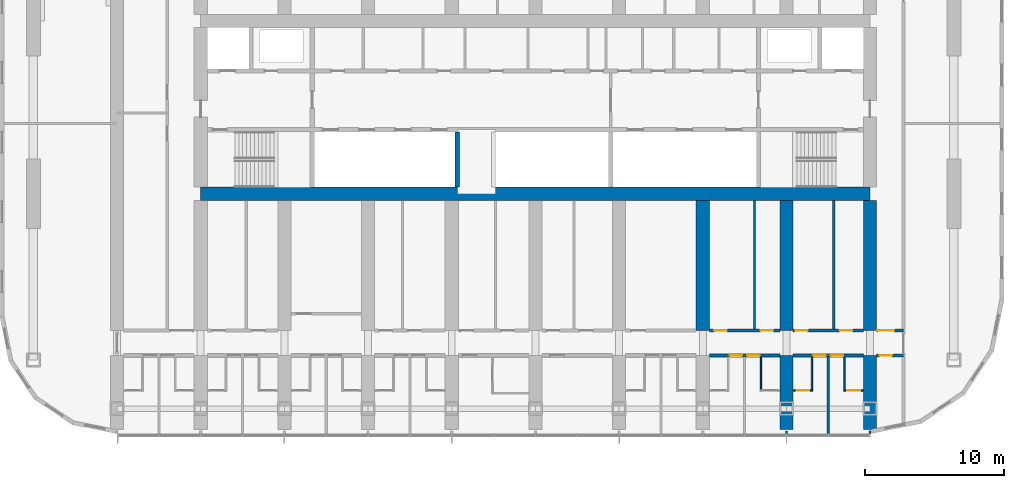
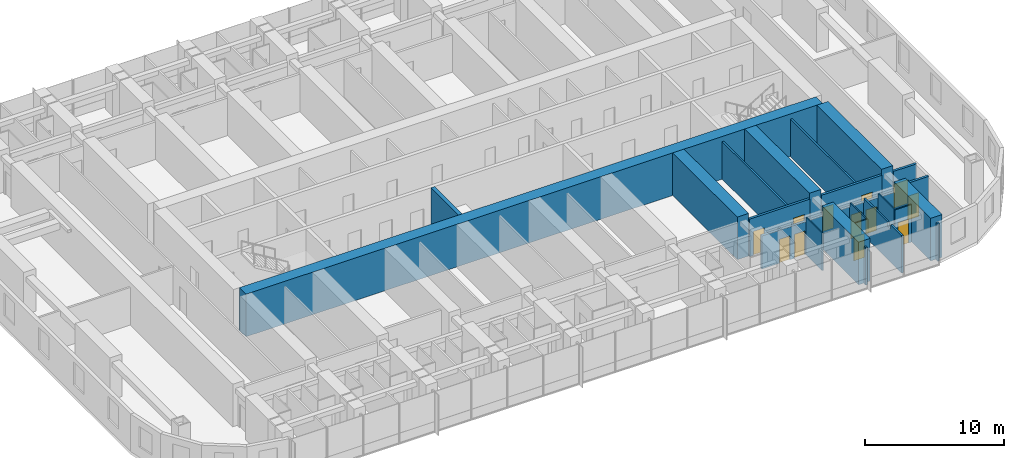
# One storey, part 11 of 22: 23 walls, 12 doors, 12 openings.
"""IFC4 building model written with IfcOpenShell, lengths in metres."""

from ifc_helpers import new_model, si_unit, direction, frame, frame_2d, origin, place, context, subcontext, project, spatial, polyline, rectangle, outline, extrude, material, layer, layer_set, type_object, element, fill, save


model = new_model("IFC4")

# Units and contexts
model_context = context("Model", 3, precision=1e-05, world=origin(), true_north=direction((0.0, 1.0)))
body_context = subcontext(model_context, "Body", "Model", "MODEL_VIEW")
ifc_project = project(units=[si_unit("LENGTHUNIT", "METRE"), si_unit("AREAUNIT", "SQUARE_METRE"), si_unit("VOLUMEUNIT", "CUBIC_METRE"), si_unit("PLANEANGLEUNIT", "RADIAN"), si_unit("MASSUNIT", "GRAM", prefix="KILO")], contexts=[model_context])

# Site, building, storey
site_placement = place(None, origin())
site = spatial("IfcSite", under=ifc_project, at=site_placement, CompositionType="ELEMENT")
building_placement = place(site_placement, origin())
building = spatial("IfcBuilding", under=site, at=building_placement, Name="Orbita Commons", CompositionType="ELEMENT")
storey_placement = place(building_placement, frame((0.0, 0.0, 80.64990234375)))
storey = spatial("IfcBuildingStorey", under=building, at=storey_placement, Name="L19", CompositionType="ELEMENT", Elevation=80.64990234375)

# Walls
ifc_material_1 = material(Name="Concrete C50/60", Category="concrete")
ifc_layer_1 = layer(ifc_material_1, 0.300048828125)
ifc_layer_set_1 = layer_set([ifc_layer_1], Name="Concrete C50/60")
wall_type_1 = type_object("IfcWallType", Name="Core inner wall 300 C50/60", PredefinedType="SHEAR", material=ifc_layer_set_1)
wall_1_placement = place(storey_placement, frame((36.39990234375, 26.27490234375, 0.0), z_axis=(0.0, 0.0, 1.0), x_axis=(0.0, 1.0, 0.0)))
element("IfcWall", 1, at=wall_1_placement, inside=storey, type_object=wall_type_1, Name="Hoistway division wall L19", PredefinedType="SHEAR", context=body_context, shape_type="SweptSolid", body=[
    extrude(rectangle(XDim=3.97509765625, YDim=0.300048828125, at=frame_2d((1.987548828125, 0.0))), origin(), (0.0, 0.0, 1.0), 3.75),
])
ifc_material_2 = material(Name="Concrete C50/60", Category="concrete")
ifc_layer_2 = layer(ifc_material_2, 0.949951171875)
ifc_layer_set_2 = layer_set([ifc_layer_2], Name="Concrete C50/60")
wall_type_2 = type_object("IfcWallType", Name="Core wall 950 C50/60", PredefinedType="SHEAR", material=ifc_layer_set_2)
wall_2_placement = place(storey_placement, frame((18.0, 25.800048828125, 0.0), z_axis=(0.0, 0.0, 1.0), x_axis=(1.0, 0.0, 0.0)))
element("IfcWall", 2, at=wall_2_placement, inside=storey, type_object=wall_type_2, Name="Core spine wall south L19", PredefinedType="SHEAR", context=body_context, shape_type="SweptSolid", body=[
    extrude(rectangle(XDim=48.0, YDim=0.949951171875, at=frame_2d((24.0, 0.0))), origin(), (0.0, 0.0, 1.0), 3.75),
])

# Wall, openings, doors
ifc_material_3 = material(Name="Concrete blockwork", Category="masonry")
ifc_layer_3 = layer(ifc_material_3, 0.199951171875)
ifc_layer_set_3 = layer_set([ifc_layer_3], Name="Concrete blockwork")
wall_type_3 = type_object("IfcWallType", Name="Corridor wall 200 blockwork", PredefinedType="SOLIDWALL", material=ifc_layer_set_3)
wall_3_placement = place(storey_placement, frame((54.47509765625, 14.199951171875, 0.0), z_axis=(0.0, 0.0, 1.0), x_axis=(1.0, 0.0, 0.0)))
wall_3 = element("IfcWall", 3, at=wall_3_placement, inside=storey, type_object=wall_type_3, Name="Corridor wall 200 blockwork L19", PredefinedType="SOLIDWALL", context=body_context, shape_type="SweptSolid", body=[
    extrude(outline(polyline([(0.0, 0.0), (5.0498046875, 0.0), (5.050048828125, 2.900146484375), (0.0, 2.900146484375), (0.0, 0.0)])), frame((0.0, 0.10009765625, 0.0), z_axis=(0.0, -1.0, 0.0), x_axis=(1.0, 0.0, 0.0)), (0.0, 0.0, 1.0), 0.199951171875),
])
opening_1_placement = place(wall_3_placement, frame((1.449951171875, 0.0, 0.0)))
opening_1 = element("IfcOpeningElement", 4, at=opening_1_placement, cuts=wall_3, Name="Opening D11", PredefinedType="OPENING", context=body_context, shape_type="SweptSolid", body=[
    extrude(rectangle(XDim=0.89990234375, YDim=2.10009765625, at=frame_2d((0.449951171875, 1.050048828125))), frame((0.0, 0.10986328125, 0.0), z_axis=(0.0, -1.0, 0.0), x_axis=(1.0, 0.0, 0.0)), (0.0, 0.0, 1.0), 0.219970703125),
])
opening_2_placement = place(wall_3_placement, frame((2.699951171875, 0.0, 0.0)))
opening_2 = element("IfcOpeningElement", 5, at=opening_2_placement, cuts=wall_3, Name="Opening D11", PredefinedType="OPENING", context=body_context, shape_type="SweptSolid", body=[
    extrude(rectangle(XDim=0.89990234375, YDim=2.10009765625, at=frame_2d((0.449951171875, 1.050048828125))), frame((0.0, 0.10986328125, 0.0), z_axis=(0.0, -1.0, 0.0), x_axis=(1.0, 0.0, 0.0)), (0.0, 0.0, 1.0), 0.219970703125),
])
ifc_material_4 = material(Name="Steel-faced fire door leaf", Category="steel")
door_type_1 = type_object("IfcDoorType", Name="Corridor door 20 min 900x2100", OperationType="SINGLE_SWING_LEFT", PredefinedType="DOOR", material=ifc_material_4)
door_1_placement = place(opening_1_placement, origin())
door_1 = element("IfcDoor", 6, at=door_1_placement, inside=storey, type_object=door_type_1, Name="Cluster bedroom L19-S14 door", OperationType="SINGLE_SWING_LEFT", OverallHeight=2.10009765625, OverallWidth=0.89990234375, PredefinedType="DOOR", context=body_context, shape_type="SweptSolid", body=[
    extrude(rectangle(XDim=0.89990234375, YDim=2.10009765625, at=frame_2d((0.449951171875, 1.050048828125))), frame((0.0, 0.02490234375, 0.0), z_axis=(0.0, -1.0, 0.0), x_axis=(1.0, 0.0, 0.0)), (0.0, 0.0, 1.0), 0.050048828125),
])
fill(opening_1, door_1)
door_2_placement = place(opening_2_placement, origin())
door_2 = element("IfcDoor", 7, at=door_2_placement, inside=storey, type_object=door_type_1, Name="Cluster bedroom L19-S15 door", OperationType="SINGLE_SWING_LEFT", OverallHeight=2.10009765625, OverallWidth=0.89990234375, PredefinedType="DOOR", context=body_context, shape_type="SweptSolid", body=[
    extrude(rectangle(XDim=0.89990234375, YDim=2.10009765625, at=frame_2d((0.449951171875, 1.050048828125))), frame((0.0, 0.02490234375, 0.0), z_axis=(0.0, -1.0, 0.0), x_axis=(1.0, 0.0, 0.0)), (0.0, 0.0, 1.0), 0.050048828125),
])
fill(opening_2, door_2)

wall_4_placement = place(storey_placement, frame((60.47509765625, 14.199951171875, 0.0), z_axis=(0.0, 0.0, 1.0), x_axis=(1.0, 0.0, 0.0)))
wall_4 = element("IfcWall", 8, at=wall_4_placement, inside=storey, type_object=wall_type_3, Name="Corridor wall 200 blockwork L19", PredefinedType="SOLIDWALL", context=body_context, shape_type="SweptSolid", body=[
    extrude(outline(polyline([(0.0, 0.0), (5.0498046875, 0.0), (5.050048828125, 2.900146484375), (0.0, 2.900146484375), (0.0, 0.0)])), frame((0.0, 0.10009765625, 0.0), z_axis=(0.0, -1.0, 0.0), x_axis=(1.0, 0.0, 0.0)), (0.0, 0.0, 1.0), 0.199951171875),
])
opening_3_placement = place(wall_4_placement, frame((1.449951171875, 0.0, 0.0)))
opening_3 = element("IfcOpeningElement", 9, at=opening_3_placement, cuts=wall_4, Name="Opening D11", PredefinedType="OPENING", context=body_context, shape_type="SweptSolid", body=[
    extrude(rectangle(XDim=0.89990234375, YDim=2.10009765625, at=frame_2d((0.449951171875, 1.050048828125))), frame((0.0, 0.10986328125, 0.0), z_axis=(0.0, -1.0, 0.0), x_axis=(1.0, 0.0, 0.0)), (0.0, 0.0, 1.0), 0.219970703125),
])
opening_4_placement = place(wall_4_placement, frame((2.699951171875, 0.0, 0.0)))
opening_4 = element("IfcOpeningElement", 10, at=opening_4_placement, cuts=wall_4, Name="Opening D11", PredefinedType="OPENING", context=body_context, shape_type="SweptSolid", body=[
    extrude(rectangle(XDim=0.89990234375, YDim=2.10009765625, at=frame_2d((0.449951171875, 1.050048828125))), frame((0.0, 0.10986328125, 0.0), z_axis=(0.0, -1.0, 0.0), x_axis=(1.0, 0.0, 0.0)), (0.0, 0.0, 1.0), 0.219970703125),
])
door_3_placement = place(opening_3_placement, origin())
door_3 = element("IfcDoor", 11, at=door_3_placement, inside=storey, type_object=door_type_1, Name="Cluster bedroom L19-S16 door", OperationType="SINGLE_SWING_LEFT", OverallHeight=2.10009765625, OverallWidth=0.89990234375, PredefinedType="DOOR", context=body_context, shape_type="SweptSolid", body=[
    extrude(rectangle(XDim=0.89990234375, YDim=2.10009765625, at=frame_2d((0.449951171875, 1.050048828125))), frame((0.0, 0.02490234375, 0.0), z_axis=(0.0, -1.0, 0.0), x_axis=(1.0, 0.0, 0.0)), (0.0, 0.0, 1.0), 0.050048828125),
])
fill(opening_3, door_3)
door_4_placement = place(opening_4_placement, origin())
door_4 = element("IfcDoor", 12, at=door_4_placement, inside=storey, type_object=door_type_1, Name="Cluster bedroom L19-S17 door", OperationType="SINGLE_SWING_LEFT", OverallHeight=2.10009765625, OverallWidth=0.89990234375, PredefinedType="DOOR", context=body_context, shape_type="SweptSolid", body=[
    extrude(rectangle(XDim=0.89990234375, YDim=2.10009765625, at=frame_2d((0.449951171875, 1.050048828125))), frame((0.0, 0.02490234375, 0.0), z_axis=(0.0, -1.0, 0.0), x_axis=(1.0, 0.0, 0.0)), (0.0, 0.0, 1.0), 0.050048828125),
])
fill(opening_4, door_4)

# Wall, opening, door
wall_5_placement = place(storey_placement, frame((66.47509765625, 14.199951171875, 0.0), z_axis=(0.0, 0.0, 1.0), x_axis=(1.0, 0.0, 0.0)))
wall_5 = element("IfcWall", 13, at=wall_5_placement, inside=storey, type_object=wall_type_3, Name="Corridor wall 200 blockwork L19", PredefinedType="SOLIDWALL", context=body_context, shape_type="SweptSolid", body=[
    extrude(rectangle(XDim=1.9248046875, YDim=0.199951171875, at=frame_2d((0.96240234375, 0.0))), origin(), (0.0, 0.0, 1.0), 3.300048828125),
])
opening_5_placement = place(wall_5_placement, frame((0.199951171875, 0.0, 0.0)))
opening_5 = element("IfcOpeningElement", 14, at=opening_5_placement, cuts=wall_5, Name="Opening D05", PredefinedType="OPENING", context=body_context, shape_type="SweptSolid", body=[
    extrude(rectangle(XDim=0.89990234375, YDim=2.10009765625, at=frame_2d((0.449951171875, 1.050048828125))), frame((0.0, 0.10986328125, 0.0), z_axis=(0.0, -1.0, 0.0), x_axis=(1.0, 0.0, 0.0)), (0.0, 0.0, 1.0), 0.219970703125),
])
ifc_material_5 = material(Name="Steel-faced fire door leaf", Category="steel")
door_type_2 = type_object("IfcDoorType", Name="Service door 20 min 900x2100", OperationType="SINGLE_SWING_LEFT", PredefinedType="DOOR", material=ifc_material_5)
door_5_placement = place(opening_5_placement, origin())
door_5 = element("IfcDoor", 15, at=door_5_placement, inside=storey, type_object=door_type_2, Name="Linen store L19-KES door", OperationType="SINGLE_SWING_LEFT", OverallHeight=2.10009765625, OverallWidth=0.89990234375, PredefinedType="DOOR", context=body_context, shape_type="SweptSolid", body=[
    extrude(rectangle(XDim=0.89990234375, YDim=2.10009765625, at=frame_2d((0.449951171875, 1.050048828125))), frame((0.0, 0.02490234375, 0.0), z_axis=(0.0, -1.0, 0.0), x_axis=(1.0, 0.0, 0.0)), (0.0, 0.0, 1.0), 0.050048828125),
])
fill(opening_5, door_5)

# Wall, openings, doors
ifc_material_6 = material(Name="Hollow concrete block 200", Category="concrete")
ifc_layer_4 = layer(ifc_material_6, 0.199951171875)
ifc_layer_set_4 = layer_set([ifc_layer_4], Name="Hollow concrete block 200")
wall_type_4 = type_object("IfcWallType", Name="Corridor wall 200 hollow concrete block", PredefinedType="SOLIDWALL", material=ifc_layer_set_4)
wall_6_placement = place(storey_placement, frame((54.47509765625, 16.0, 0.0), z_axis=(0.0, 0.0, 1.0), x_axis=(1.0, 0.0, 0.0)))
wall_6 = element("IfcWall", 16, at=wall_6_placement, inside=storey, type_object=wall_type_4, Name="Corridor wall 200 hollow concrete block L19", PredefinedType="SOLIDWALL", context=body_context, shape_type="SweptSolid", body=[
    extrude(rectangle(XDim=5.0498046875, YDim=0.199951171875, at=frame_2d((2.52490234375, 0.0))), origin(), (0.0, 0.0, 1.0), 3.300048828125),
])
opening_6_placement = place(wall_6_placement, frame((0.35009765625, 0.0, 0.0)))
opening_6 = element("IfcOpeningElement", 17, at=opening_6_placement, cuts=wall_6, Name="Opening D11", PredefinedType="OPENING", context=body_context, shape_type="SweptSolid", body=[
    extrude(rectangle(XDim=0.89990234375, YDim=2.10009765625, at=frame_2d((0.449951171875, 1.050048828125))), frame((0.0, 0.10986328125, 0.0), z_axis=(0.0, -1.0, 0.0), x_axis=(1.0, 0.0, 0.0)), (0.0, 0.0, 1.0), 0.219970703125),
])
opening_7_placement = place(wall_6_placement, frame((3.6650390625, 0.0, 0.0)))
opening_7 = element("IfcOpeningElement", 18, at=opening_7_placement, cuts=wall_6, Name="Opening D11", PredefinedType="OPENING", context=body_context, shape_type="SweptSolid", body=[
    extrude(rectangle(XDim=0.89990234375, YDim=2.10009765625, at=frame_2d((0.449951171875, 1.050048828125))), frame((0.0, 0.10986328125, 0.0), z_axis=(0.0, -1.0, 0.0), x_axis=(1.0, 0.0, 0.0)), (0.0, 0.0, 1.0), 0.219970703125),
])
door_6_placement = place(opening_6_placement, origin())
door_6 = element("IfcDoor", 19, at=door_6_placement, inside=storey, type_object=door_type_1, Name="Drying room L19-BDS54 door", OperationType="SINGLE_SWING_LEFT", OverallHeight=2.10009765625, OverallWidth=0.89990234375, PredefinedType="DOOR", context=body_context, shape_type="SweptSolid", body=[
    extrude(rectangle(XDim=0.89990234375, YDim=2.10009765625, at=frame_2d((0.449951171875, 1.050048828125))), frame((0.0, 0.02490234375, 0.0), z_axis=(0.0, -1.0, 0.0), x_axis=(1.0, 0.0, 0.0)), (0.0, 0.0, 1.0), 0.050048828125),
])
fill(opening_6, door_6)
door_7_placement = place(opening_7_placement, origin())
door_7 = element("IfcDoor", 20, at=door_7_placement, inside=storey, type_object=door_type_1, Name="Water heater cupboard L19-BDS54n door", OperationType="SINGLE_SWING_LEFT", OverallHeight=2.10009765625, OverallWidth=0.89990234375, PredefinedType="DOOR", context=body_context, shape_type="SweptSolid", body=[
    extrude(rectangle(XDim=0.89990234375, YDim=2.10009765625, at=frame_2d((0.449951171875, 1.050048828125))), frame((0.0, 0.02490234375, 0.0), z_axis=(0.0, -1.0, 0.0), x_axis=(1.0, 0.0, 0.0)), (0.0, 0.0, 1.0), 0.050048828125),
])
fill(opening_7, door_7)

wall_7_placement = place(storey_placement, frame((60.47509765625, 16.0, 0.0), z_axis=(0.0, 0.0, 1.0), x_axis=(1.0, 0.0, 0.0)))
wall_7 = element("IfcWall", 21, at=wall_7_placement, inside=storey, type_object=wall_type_4, Name="Corridor wall 200 hollow concrete block L19", PredefinedType="SOLIDWALL", context=body_context, shape_type="SweptSolid", body=[
    extrude(rectangle(XDim=5.0498046875, YDim=0.199951171875, at=frame_2d((2.52490234375, 0.0))), origin(), (0.0, 0.0, 1.0), 3.300048828125),
])
opening_8_placement = place(wall_7_placement, frame((0.14990234375, 0.0, 0.0)))
opening_8 = element("IfcOpeningElement", 22, at=opening_8_placement, cuts=wall_7, Name="Opening D11", PredefinedType="OPENING", context=body_context, shape_type="SweptSolid", body=[
    extrude(rectangle(XDim=0.89990234375, YDim=2.10009765625, at=frame_2d((0.449951171875, 1.050048828125))), frame((0.0, 0.10986328125, 0.0), z_axis=(0.0, -1.0, 0.0), x_axis=(1.0, 0.0, 0.0)), (0.0, 0.0, 1.0), 0.219970703125),
])
opening_9_placement = place(wall_7_placement, frame((3.344970703125, 0.0, 0.0)))
opening_9 = element("IfcOpeningElement", 23, at=opening_9_placement, cuts=wall_7, Name="Opening D11", PredefinedType="OPENING", context=body_context, shape_type="SweptSolid", body=[
    extrude(rectangle(XDim=0.89990234375, YDim=2.10009765625, at=frame_2d((0.449951171875, 1.050048828125))), frame((0.0, 0.10986328125, 0.0), z_axis=(0.0, -1.0, 0.0), x_axis=(1.0, 0.0, 0.0)), (0.0, 0.0, 1.0), 0.219970703125),
])
door_8_placement = place(opening_8_placement, origin())
door_8 = element("IfcDoor", 24, at=door_8_placement, inside=storey, type_object=door_type_1, Name="IT and print room L19-BDS60 door", OperationType="SINGLE_SWING_LEFT", OverallHeight=2.10009765625, OverallWidth=0.89990234375, PredefinedType="DOOR", context=body_context, shape_type="SweptSolid", body=[
    extrude(rectangle(XDim=0.89990234375, YDim=2.10009765625, at=frame_2d((0.449951171875, 1.050048828125))), frame((0.0, 0.02490234375, 0.0), z_axis=(0.0, -1.0, 0.0), x_axis=(1.0, 0.0, 0.0)), (0.0, 0.0, 1.0), 0.050048828125),
])
fill(opening_8, door_8)
door_9_placement = place(opening_9_placement, origin())
door_9 = element("IfcDoor", 25, at=door_9_placement, inside=storey, type_object=door_type_1, Name="Equipment store L19-BDS60n door", OperationType="SINGLE_SWING_LEFT", OverallHeight=2.10009765625, OverallWidth=0.89990234375, PredefinedType="DOOR", context=body_context, shape_type="SweptSolid", body=[
    extrude(rectangle(XDim=0.89990234375, YDim=2.10009765625, at=frame_2d((0.449951171875, 1.050048828125))), frame((0.0, 0.02490234375, 0.0), z_axis=(0.0, -1.0, 0.0), x_axis=(1.0, 0.0, 0.0)), (0.0, 0.0, 1.0), 0.050048828125),
])
fill(opening_9, door_9)

# Wall, opening, door
wall_8_placement = place(storey_placement, frame((66.47509765625, 16.0, 0.0), z_axis=(0.0, 0.0, 1.0), x_axis=(1.0, 0.0, 0.0)))
wall_8 = element("IfcWall", 26, at=wall_8_placement, inside=storey, type_object=wall_type_4, Name="Corridor wall 200 hollow concrete block L19", PredefinedType="SOLIDWALL", context=body_context, shape_type="SweptSolid", body=[
    extrude(rectangle(XDim=1.9248046875, YDim=0.199951171875, at=frame_2d((0.96240234375, 0.0))), origin(), (0.0, 0.0, 1.0), 3.300048828125),
])
opening_10_placement = place(wall_8_placement, frame((0.050048828125, 0.0, 0.0)))
opening_10 = element("IfcOpeningElement", 27, at=opening_10_placement, cuts=wall_8, Name="Opening D12", PredefinedType="OPENING", context=body_context, shape_type="SweptSolid", body=[
    extrude(rectangle(XDim=1.199951171875, YDim=2.10009765625, at=frame_2d((0.60009765625, 1.050048828125))), frame((0.0, 0.10986328125, 0.0), z_axis=(0.0, -1.0, 0.0), x_axis=(1.0, 0.0, 0.0)), (0.0, 0.0, 1.0), 0.219970703125),
])
ifc_material_7 = material(Name="Steel-faced fire door leaf", Category="steel")
door_type_3 = type_object("IfcDoorType", Name="Double corridor door 20 min 1200x2100", OperationType="DOUBLE_DOOR_SINGLE_SWING", PredefinedType="DOOR", material=ifc_material_7)
door_10_placement = place(opening_10_placement, origin())
door_10 = element("IfcDoor", 28, at=door_10_placement, inside=storey, type_object=door_type_3, Name="Cross corridor doors", OperationType="DOUBLE_DOOR_SINGLE_SWING", OverallHeight=2.10009765625, OverallWidth=1.199951171875, PredefinedType="DOOR", context=body_context, shape_type="SweptSolid", body=[
    extrude(rectangle(XDim=1.199951171875, YDim=2.10009765625, at=frame_2d((0.60009765625, 1.050048828125))), frame((0.0, 0.02490234375, 0.0), z_axis=(0.0, -1.0, 0.0), x_axis=(1.0, 0.0, 0.0)), (0.0, 0.0, 1.0), 0.050048828125),
])
fill(opening_10, door_10)

# Walls
ifc_material_8 = material(Name="Concrete C50/60", Category="concrete")
ifc_layer_5 = layer(ifc_material_8, 0.949951171875)
ifc_layer_set_5 = layer_set([ifc_layer_5], Name="Concrete C50/60")
wall_type_5 = type_object("IfcWallType", Name="Cross wall 950 C50/60", PredefinedType="SHEAR", material=ifc_layer_set_5)
wall_9_placement = place(storey_placement, frame((54.0, 16.0, 0.0), z_axis=(0.0, 0.0, 1.0), x_axis=(0.0, 1.0, 0.0)))
element("IfcWall", 29, at=wall_9_placement, inside=storey, type_object=wall_type_5, Name="Cross wall 10 south inner L19", PredefinedType="SHEAR", context=body_context, shape_type="SweptSolid", body=[
    extrude(rectangle(XDim=9.324951171875, YDim=0.949951171875, at=frame_2d((4.66259765625, 0.0))), origin(), (0.0, 0.0, 1.0), 3.75),
])
wall_10_placement = place(storey_placement, frame((60.0, 8.89990234375, 0.0), z_axis=(0.0, 0.0, 1.0), x_axis=(0.0, 1.0, 0.0)))
element("IfcWall", 30, at=wall_10_placement, inside=storey, type_object=wall_type_5, Name="Cross wall 11 south outer L19", PredefinedType="SHEAR", context=body_context, shape_type="SweptSolid", body=[
    extrude(rectangle(XDim=5.300048828125, YDim=0.949951171875, at=frame_2d((2.64990234375, 0.0))), origin(), (0.0, 0.0, 1.0), 3.75),
])
wall_11_placement = place(storey_placement, frame((60.0, 16.0, 0.0), z_axis=(0.0, 0.0, 1.0), x_axis=(0.0, 1.0, 0.0)))
element("IfcWall", 31, at=wall_11_placement, inside=storey, type_object=wall_type_5, Name="Cross wall 11 south inner L19", PredefinedType="SHEAR", context=body_context, shape_type="SweptSolid", body=[
    extrude(rectangle(XDim=9.324951171875, YDim=0.949951171875, at=frame_2d((4.66259765625, 0.0))), origin(), (0.0, 0.0, 1.0), 3.75),
])
wall_12_placement = place(storey_placement, frame((66.0, 8.89990234375, 0.0), z_axis=(0.0, 0.0, 1.0), x_axis=(0.0, 1.0, 0.0)))
element("IfcWall", 32, at=wall_12_placement, inside=storey, type_object=wall_type_5, Name="Cross wall 12 south outer L19", PredefinedType="SHEAR", context=body_context, shape_type="SweptSolid", body=[
    extrude(rectangle(XDim=5.300048828125, YDim=0.949951171875, at=frame_2d((2.64990234375, 0.0))), origin(), (0.0, 0.0, 1.0), 3.75),
])
wall_13_placement = place(storey_placement, frame((66.0, 16.0, 0.0), z_axis=(0.0, 0.0, 1.0), x_axis=(0.0, 1.0, 0.0)))
element("IfcWall", 33, at=wall_13_placement, inside=storey, type_object=wall_type_5, Name="Cross wall 12 south inner L19", PredefinedType="SHEAR", context=body_context, shape_type="SweptSolid", body=[
    extrude(rectangle(XDim=9.324951171875, YDim=0.949951171875, at=frame_2d((4.66259765625, 0.0))), origin(), (0.0, 0.0, 1.0), 3.75),
])
ifc_material_9 = material(Name="Moisture-resistant plasterboard on steel studs", Category="steel")
ifc_layer_6 = layer(ifc_material_9, 0.10009765625)
ifc_layer_set_6 = layer_set([ifc_layer_6], Name="Moisture-resistant plasterboard on steel studs")
wall_type_6 = type_object("IfcWallType", Name="En-suite partition 100", PredefinedType="PARTITIONING", material=ifc_layer_set_6)
wall_14_placement = place(storey_placement, frame((58.175048828125, 11.75, 0.0), z_axis=(0.0, 0.0, 1.0), x_axis=(0.0, 1.0, 0.0)))
element("IfcWall", 34, at=wall_14_placement, inside=storey, type_object=wall_type_6, Name="En-suite partition 100 L19", PredefinedType="PARTITIONING", context=body_context, shape_type="SweptSolid", body=[
    extrude(outline(polyline([(0.0, 0.0), (2.35009765625, 0.0), (2.35009765625, 2.900146484375), (2.302001953125, 2.900146484375), (2.300048828125, 3.300048828125), (0.0, 3.300048828125), (0.0, 0.0)])), frame((0.0, 0.050048828125, 0.0), z_axis=(0.0, -1.0, 0.0), x_axis=(1.0, 0.0, 0.0)), (0.0, 0.0, 1.0), 0.10009765625),
])

# Wall, opening, door
wall_15_placement = place(storey_placement, frame((61.875, 11.699951171875, 0.0), z_axis=(0.0, 0.0, 1.0), x_axis=(-1.0, 0.0, 0.0)))
wall_15 = element("IfcWall", 35, at=wall_15_placement, inside=storey, type_object=wall_type_6, Name="En-suite partition 100 L19", PredefinedType="PARTITIONING", context=body_context, shape_type="SweptSolid", body=[
    extrude(rectangle(XDim=1.39990234375, YDim=0.10009765625, at=frame_2d((0.699951171875, 0.0))), origin(), (0.0, 0.0, 1.0), 3.300048828125),
])
opening_11_placement = place(wall_15_placement, frame((0.25, 0.0, 0.0)))
opening_11 = element("IfcOpeningElement", 36, at=opening_11_placement, cuts=wall_15, Name="Opening D09", PredefinedType="OPENING", context=body_context, shape_type="SweptSolid", body=[
    extrude(rectangle(XDim=0.89990234375, YDim=2.10009765625, at=frame_2d((0.449951171875, 1.050048828125))), frame((0.0, 0.06005859375, 0.0), z_axis=(0.0, -1.0, 0.0), x_axis=(1.0, 0.0, 0.0)), (0.0, 0.0, 1.0), 0.1201171875),
])
ifc_material_10 = material(Name="Laminated timber door leaf", Category="wood")
door_type_4 = type_object("IfcDoorType", Name="En-suite door 900x2100", OperationType="SINGLE_SWING_RIGHT", PredefinedType="DOOR", material=ifc_material_10)
door_11_placement = place(opening_11_placement, origin())
door_11 = element("IfcDoor", 37, at=door_11_placement, inside=storey, type_object=door_type_4, Name="En-suite L19-S16 door", OperationType="SINGLE_SWING_RIGHT", OverallHeight=2.10009765625, OverallWidth=0.89990234375, PredefinedType="DOOR", context=body_context, shape_type="SweptSolid", body=[
    extrude(rectangle(XDim=0.89990234375, YDim=2.10009765625, at=frame_2d((0.449951171875, 1.050048828125))), frame((0.0, 0.02490234375, 0.0), z_axis=(0.0, -1.0, 0.0), x_axis=(1.0, 0.0, 0.0)), (0.0, 0.0, 1.0), 0.050048828125),
])
fill(opening_11, door_11)

# Wall
wall_16_placement = place(storey_placement, frame((61.824951171875, 11.75, 0.0), z_axis=(0.0, 0.0, 1.0), x_axis=(0.0, 1.0, 0.0)))
element("IfcWall", 38, at=wall_16_placement, inside=storey, type_object=wall_type_6, Name="En-suite partition 100 L19", PredefinedType="PARTITIONING", context=body_context, shape_type="SweptSolid", body=[
    extrude(outline(polyline([(0.0, 0.0), (2.35009765625, 0.0), (2.35009765625, 2.900146484375), (2.302001953125, 2.900146484375), (2.300048828125, 3.300048828125), (0.0, 3.300048828125), (0.0, 0.0)])), frame((0.0, 0.050048828125, 0.0), z_axis=(0.0, -1.0, 0.0), x_axis=(1.0, 0.0, 0.0)), (0.0, 0.0, 1.0), 0.10009765625),
])

# Wall, opening, door
wall_17_placement = place(storey_placement, frame((65.52490234375, 11.699951171875, 0.0), z_axis=(0.0, 0.0, 1.0), x_axis=(-1.0, 0.0, 0.0)))
wall_17 = element("IfcWall", 39, at=wall_17_placement, inside=storey, type_object=wall_type_6, Name="En-suite partition 100 L19", PredefinedType="PARTITIONING", context=body_context, shape_type="SweptSolid", body=[
    extrude(rectangle(XDim=1.39990234375, YDim=0.10009765625, at=frame_2d((0.699951171875, 0.0))), origin(), (0.0, 0.0, 1.0), 3.300048828125),
])
opening_12_placement = place(wall_17_placement, frame((0.25, 0.0, 0.0)))
opening_12 = element("IfcOpeningElement", 40, at=opening_12_placement, cuts=wall_17, Name="Opening D09", PredefinedType="OPENING", context=body_context, shape_type="SweptSolid", body=[
    extrude(rectangle(XDim=0.89990234375, YDim=2.10009765625, at=frame_2d((0.449951171875, 1.050048828125))), frame((0.0, 0.06005859375, 0.0), z_axis=(0.0, -1.0, 0.0), x_axis=(1.0, 0.0, 0.0)), (0.0, 0.0, 1.0), 0.1201171875),
])
door_12_placement = place(opening_12_placement, origin())
door_12 = element("IfcDoor", 41, at=door_12_placement, inside=storey, type_object=door_type_4, Name="En-suite L19-S17 door", OperationType="SINGLE_SWING_RIGHT", OverallHeight=2.10009765625, OverallWidth=0.89990234375, PredefinedType="DOOR", context=body_context, shape_type="SweptSolid", body=[
    extrude(rectangle(XDim=0.89990234375, YDim=2.10009765625, at=frame_2d((0.449951171875, 1.050048828125))), frame((0.0, 0.02490234375, 0.0), z_axis=(0.0, -1.0, 0.0), x_axis=(1.0, 0.0, 0.0)), (0.0, 0.0, 1.0), 0.050048828125),
])
fill(opening_12, door_12)

# Walls
wall_18_placement = place(storey_placement, frame((64.175048828125, 11.75, 0.0), z_axis=(0.0, 0.0, 1.0), x_axis=(0.0, 1.0, 0.0)))
element("IfcWall", 42, at=wall_18_placement, inside=storey, type_object=wall_type_6, Name="En-suite partition 100 L19", PredefinedType="PARTITIONING", context=body_context, shape_type="SweptSolid", body=[
    extrude(outline(polyline([(0.0, 0.0), (2.35009765625, 0.0), (2.35009765625, 2.900146484375), (2.302001953125, 2.900146484375), (2.300048828125, 3.300048828125), (0.0, 3.300048828125), (0.0, 0.0)])), frame((0.0, 0.050048828125, 0.0), z_axis=(0.0, -1.0, 0.0), x_axis=(1.0, 0.0, 0.0)), (0.0, 0.0, 1.0), 0.10009765625),
])
ifc_material_11 = material(Name="Gypsum plasterboard on steel studs", Category="steel")
ifc_layer_7 = layer(ifc_material_11, 0.14990234375)
ifc_layer_set_7 = layer_set([ifc_layer_7], Name="Gypsum plasterboard on steel studs")
wall_type_7 = type_object("IfcWallType", Name="Partition 150 plasterboard", PredefinedType="PARTITIONING", material=ifc_layer_set_7)
for number, where, z_axis, x_axis, name in (
    (43, (57.715087890625, 16.10009765625, 0.0), (0.0, 0.0, 1.0), (0.0, 1.0, 0.0), "Partition 150 plasterboard L19"),
    (44, (63.39501953125, 16.10009765625, 0.0), (0.0, 0.0, 1.0), (0.0, 1.0, 0.0), "Partition 150 plasterboard L19"),
):
    element("IfcWall", number, at=place(storey_placement, frame(where, z_axis=z_axis, x_axis=x_axis)), inside=storey, type_object=wall_type_7, Name=name, PredefinedType="PARTITIONING", context=body_context, shape_type="SweptSolid", body=[
        extrude(rectangle(XDim=9.224853515625, YDim=0.14990234375, at=frame_2d((4.6123046875, 0.0))), origin(), (0.0, 0.0, 1.0), 3.300048828125),
    ])
wall_19_placement = place(storey_placement, frame((60.0, 8.800048828125, 0.0), z_axis=(0.0, 0.0, 1.0), x_axis=(0.0, -1.0, 0.0)))
element("IfcWall", 45, at=wall_19_placement, inside=storey, type_object=wall_type_7, Name="Partition 150 plasterboard L19", PredefinedType="PARTITIONING", context=body_context, shape_type="SweptSolid", body=[
    extrude(rectangle(XDim=0.18994140625, YDim=0.14990234375, at=frame_2d((0.094970703125, 0.0))), origin(), (0.0, 0.0, 1.0), 3.300048828125),
])
wall_20_placement = place(storey_placement, frame((66.0, 8.800048828125, 0.0), z_axis=(0.0, 0.0, 1.0), x_axis=(0.0, -1.0, 0.0)))
element("IfcWall", 46, at=wall_20_placement, inside=storey, type_object=wall_type_7, Name="Partition 150 plasterboard L19", PredefinedType="PARTITIONING", context=body_context, shape_type="SweptSolid", body=[
    extrude(rectangle(XDim=0.219970703125, YDim=0.14990234375, at=frame_2d((0.10986328125, 0.0))), origin(), (0.0, 0.0, 1.0), 3.300048828125),
])
ifc_material_12 = material(Name="Gypsum plasterboard on steel studs", Category="steel")
ifc_layer_8 = layer(ifc_material_12, 0.14990234375)
ifc_layer_set_8 = layer_set([ifc_layer_8], Name="Gypsum plasterboard on steel studs")
wall_type_8 = type_object("IfcWallType", Name="Party wall 150 plasterboard", PredefinedType="PARTITIONING", material=ifc_layer_set_8)
wall_21_placement = place(storey_placement, frame((63.0, 8.610107421875, 0.0), z_axis=(0.0, 0.0, 1.0), x_axis=(0.0, 1.0, 0.0)))
element("IfcWall", 47, at=wall_21_placement, inside=storey, type_object=wall_type_8, Name="Party wall 150 plasterboard L19", PredefinedType="PARTITIONING", context=body_context, shape_type="SweptSolid", body=[
    extrude(outline(polyline([(0.0, 0.0), (5.489990234375, 0.0), (5.489990234375, 2.900146484375), (5.44189453125, 2.900146484375), (5.43994140625, 3.300048828125), (1.991943359375, 3.300048828125), (1.989990234375, 2.900146484375), (1.592041015625, 2.900146484375), (1.590087890625, 3.300048828125), (0.0, 3.300048828125), (0.0, 0.0)])), frame((0.0, 0.074951171875, 0.0), z_axis=(0.0, -1.0, 0.0), x_axis=(1.0, 0.0, 0.0)), (0.0, 0.0, 1.0), 0.14990234375),
])

save(model, "model.ifc")
